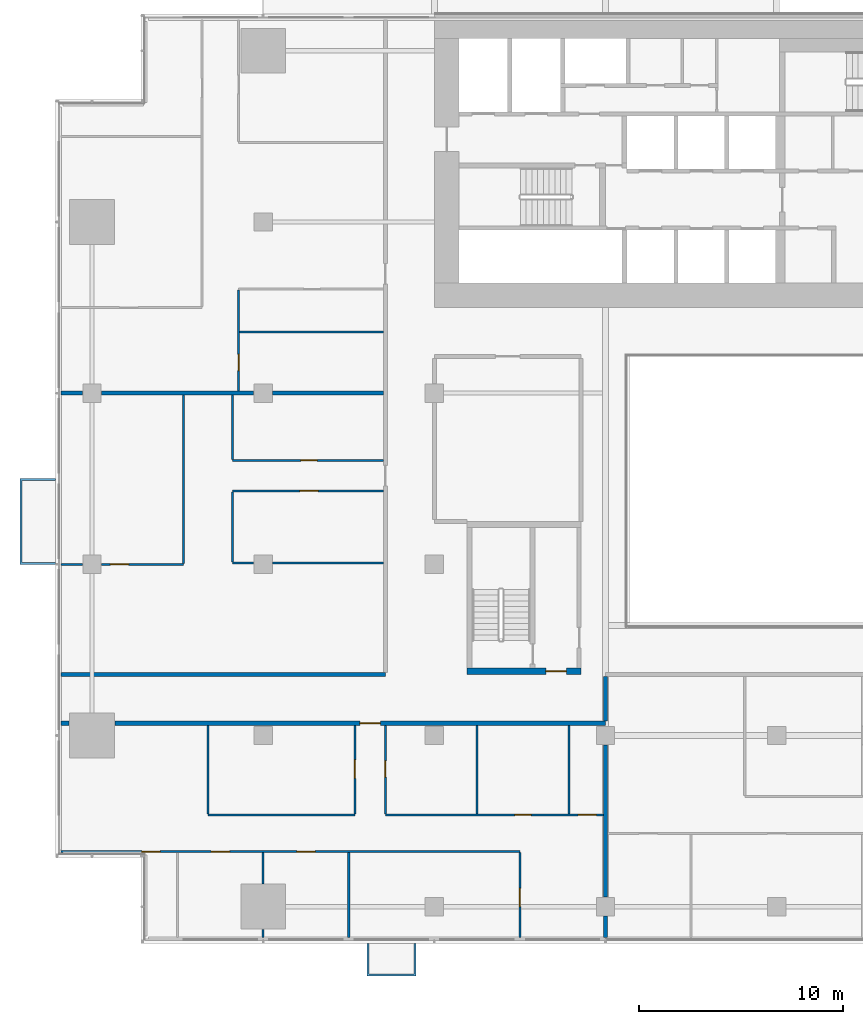
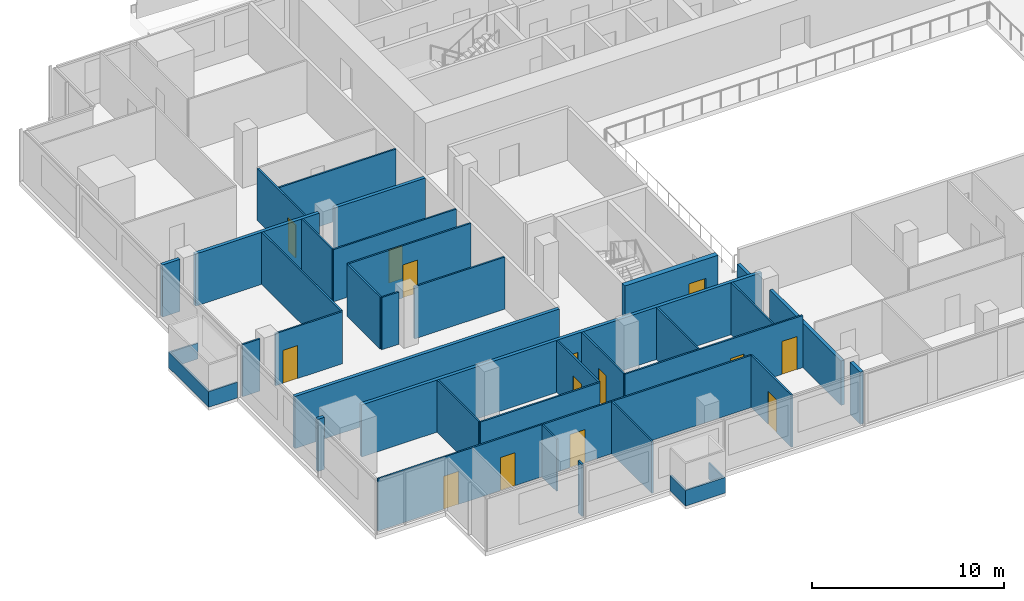
# One storey, part 17 of 27: 35 walls, 14 doors, 14 openings.
"""IFC4 building model written with IfcOpenShell, lengths in metres."""

from ifc_helpers import new_model, si_unit, direction, frame, frame_2d, origin, place, context, subcontext, project, spatial, polyline, rectangle, outline, extrude, material, layer, layer_set, type_object, element, fill, save


model = new_model("IFC4")

# Units and contexts
model_context = context("Model", 3, precision=1e-05, world=origin(), true_north=direction((0.0, 1.0)))
body_context = subcontext(model_context, "Body", "Model", "MODEL_VIEW")
ifc_project = project(units=[si_unit("LENGTHUNIT", "METRE"), si_unit("AREAUNIT", "SQUARE_METRE"), si_unit("VOLUMEUNIT", "CUBIC_METRE"), si_unit("PLANEANGLEUNIT", "RADIAN"), si_unit("MASSUNIT", "GRAM", prefix="KILO")], contexts=[model_context])

# Site, building, storey
site_placement = place(None, origin())
site = spatial("IfcSite", under=ifc_project, at=site_placement, CompositionType="ELEMENT")
building_placement = place(site_placement, origin())
building = spatial("IfcBuilding", under=site, at=building_placement, Name="Saffron Gate Tower", CompositionType="ELEMENT")
storey_placement = place(building_placement, frame((0.0, 0.0, 66.0)))
storey = spatial("IfcBuildingStorey", under=building, at=storey_placement, Name="L15", CompositionType="ELEMENT", Elevation=66.0)

# Wall, opening, door
ifc_material_1 = material(Name="Concrete C70", Category="concrete")
ifc_layer_1 = layer(ifc_material_1, 0.300048828125)
ifc_layer_set_1 = layer_set([ifc_layer_1], Name="CW5 RC core wall 300 C70")
wall_type_1 = type_object("IfcWallType", Name="CW5 RC core wall 300 C70", PredefinedType="SOLIDWALL", material=ifc_layer_set_1)
wall_1_placement = place(storey_placement, frame((68.199951171875, 43.35009765625, 0.0), z_axis=(0.0, 0.0, 1.0), x_axis=(1.0, 0.0, 0.0)))
wall_1 = element("IfcWall", 1, at=wall_1_placement, inside=storey, type_object=wall_type_1, Name="Wall CW5-L15-D-1", PredefinedType="SOLIDWALL", context=body_context, shape_type="SweptSolid", body=[
    extrude(rectangle(XDim=5.60009765625, YDim=0.300048828125, at=frame_2d((2.800048828125, 0.0))), origin(), (0.0, 0.0, 1.0), 3.320068359375),
])
opening_1_placement = place(wall_1_placement, frame((3.875, 0.0, 0.0)))
opening_1 = element("IfcOpeningElement", 2, at=opening_1_placement, cuts=wall_1, Name="Opening CR-18", PredefinedType="OPENING", context=body_context, shape_type="SweptSolid", body=[
    extrude(rectangle(XDim=1.0, YDim=2.10009765625, at=frame_2d((0.5, 1.050048828125))), frame((0.0, 0.16015625, 0.0), z_axis=(0.0, -1.0, 0.0), x_axis=(1.0, 0.0, 0.0)), (0.0, 0.0, 1.0), 0.320068359375),
])
ifc_material_2 = material(Name="Steel fire door set", Category="steel")
door_type_1 = type_object("IfcDoorType", Name="CD4 Lobby door 1000x2100 EI 120", OperationType="NOTDEFINED", PredefinedType="DOOR", material=ifc_material_2)
door_1_placement = place(opening_1_placement, origin())
door_1 = element("IfcDoor", 3, at=door_1_placement, inside=storey, type_object=door_type_1, Name="DOOR CR-18", OperationType="SINGLE_SWING_RIGHT", OverallHeight=2.10009765625, OverallWidth=1.0, PredefinedType="DOOR", context=body_context, shape_type="SweptSolid", body=[
    extrude(rectangle(XDim=1.0, YDim=2.10009765625, at=frame_2d((0.5, 1.050048828125))), frame((0.0, 0.02490234375, 0.0), z_axis=(0.0, -1.0, 0.0), x_axis=(1.0, 0.0, 0.0)), (0.0, 0.0, 1.0), 0.050048828125),
])
fill(opening_1, door_1)

# Wall, openings, doors
ifc_material_3 = material(Name="Plasterboard on steel studs", Category="steel")
ifc_layer_2 = layer(ifc_material_3, 0.10009765625)
ifc_layer_set_2 = layer_set([ifc_layer_2], Name="PW1 Partition 100")
wall_type_2 = type_object("IfcWallType", Name="PW1 Partition 100", PredefinedType="PARTITIONING", material=ifc_layer_set_2)
wall_2_placement = place(storey_placement, frame((70.800048828125, 34.5, 0.0), z_axis=(0.0, 0.0, 1.0), x_axis=(-1.0, 0.0, 0.0)))
wall_2 = element("IfcWall", 4, at=wall_2_placement, inside=storey, type_object=wall_type_2, Name="Partition A3-1", PredefinedType="PARTITIONING", context=body_context, shape_type="SweptSolid", body=[
    extrude(rectangle(XDim=22.52001953125, YDim=0.10009765625, at=frame_2d((11.260009765625, 0.0))), origin(), (0.0, 0.0, 1.0), 3.320068359375),
])
opening_2_placement = place(wall_2_placement, frame((10.050048828125, 0.0, 0.0)))
opening_2 = element("IfcOpeningElement", 5, at=opening_2_placement, cuts=wall_2, Name="Opening A3-10", PredefinedType="OPENING", context=body_context, shape_type="SweptSolid", body=[
    extrude(rectangle(XDim=0.89990234375, YDim=2.10009765625, at=frame_2d((0.449951171875, 1.050048828125))), frame((0.0, 0.06005859375, 0.0), z_axis=(0.0, -1.0, 0.0), x_axis=(1.0, 0.0, 0.0)), (0.0, 0.0, 1.0), 0.1201171875),
])
opening_3_placement = place(wall_2_placement, frame((14.25, 0.0, 0.0)))
opening_3 = element("IfcOpeningElement", 6, at=opening_3_placement, cuts=wall_2, Name="Opening A3-9", PredefinedType="OPENING", context=body_context, shape_type="SweptSolid", body=[
    extrude(rectangle(XDim=0.89990234375, YDim=2.10009765625, at=frame_2d((0.449951171875, 1.050048828125))), frame((0.0, 0.06005859375, 0.0), z_axis=(0.0, -1.0, 0.0), x_axis=(1.0, 0.0, 0.0)), (0.0, 0.0, 1.0), 0.1201171875),
])
opening_4_placement = place(wall_2_placement, frame((17.65380859375, 0.0, 0.0)))
opening_4 = element("IfcOpeningElement", 7, at=opening_4_placement, cuts=wall_2, Name="Opening A3-8", PredefinedType="OPENING", context=body_context, shape_type="SweptSolid", body=[
    extrude(rectangle(XDim=0.89990234375, YDim=2.10009765625, at=frame_2d((0.449951171875, 1.050048828125))), frame((0.0, 0.06005859375, 0.0), z_axis=(0.0, -1.0, 0.0), x_axis=(1.0, 0.0, 0.0)), (0.0, 0.0, 1.0), 0.1201171875),
])
ifc_material_4 = material(Name="Timber door set", Category="wood")
door_type_2 = type_object("IfcDoorType", Name="RD1 Room door 900x2100", OperationType="NOTDEFINED", PredefinedType="DOOR", material=ifc_material_4)
door_2_placement = place(opening_2_placement, origin())
door_2 = element("IfcDoor", 8, at=door_2_placement, inside=storey, type_object=door_type_2, Name="Door A3-10", OperationType="SINGLE_SWING_RIGHT", OverallHeight=2.10009765625, OverallWidth=0.89990234375, PredefinedType="DOOR", context=body_context, shape_type="SweptSolid", body=[
    extrude(rectangle(XDim=0.89990234375, YDim=2.10009765625, at=frame_2d((0.449951171875, 1.050048828125))), frame((0.0, 0.02490234375, 0.0), z_axis=(0.0, -1.0, 0.0), x_axis=(1.0, 0.0, 0.0)), (0.0, 0.0, 1.0), 0.050048828125),
])
fill(opening_2, door_2)
door_3_placement = place(opening_3_placement, origin())
door_3 = element("IfcDoor", 9, at=door_3_placement, inside=storey, type_object=door_type_2, Name="Door A3-9", OperationType="SINGLE_SWING_RIGHT", OverallHeight=2.10009765625, OverallWidth=0.89990234375, PredefinedType="DOOR", context=body_context, shape_type="SweptSolid", body=[
    extrude(rectangle(XDim=0.89990234375, YDim=2.10009765625, at=frame_2d((0.449951171875, 1.050048828125))), frame((0.0, 0.02490234375, 0.0), z_axis=(0.0, -1.0, 0.0), x_axis=(1.0, 0.0, 0.0)), (0.0, 0.0, 1.0), 0.050048828125),
])
fill(opening_3, door_3)
door_4_placement = place(opening_4_placement, origin())
door_4 = element("IfcDoor", 10, at=door_4_placement, inside=storey, type_object=door_type_2, Name="Door A3-8", OperationType="SINGLE_SWING_LEFT", OverallHeight=2.10009765625, OverallWidth=0.89990234375, PredefinedType="DOOR", context=body_context, shape_type="SweptSolid", body=[
    extrude(rectangle(XDim=0.89990234375, YDim=2.10009765625, at=frame_2d((0.449951171875, 1.050048828125))), frame((0.0, 0.02490234375, 0.0), z_axis=(0.0, -1.0, 0.0), x_axis=(1.0, 0.0, 0.0)), (0.0, 0.0, 1.0), 0.050048828125),
])
fill(opening_4, door_4)

# Wall
wall_3_placement = place(storey_placement, frame((55.5, 36.300048828125, 0.0), z_axis=(0.0, 0.0, 1.0), x_axis=(1.0, 0.0, 0.0)))
element("IfcWall", 11, at=wall_3_placement, inside=storey, type_object=wall_type_2, Name="Partition A3-5", PredefinedType="PARTITIONING", context=body_context, shape_type="SweptSolid", body=[
    extrude(rectangle(XDim=7.199951171875, YDim=0.10009765625, at=frame_2d((3.60009765625, 0.0))), origin(), (0.0, 0.0, 1.0), 3.320068359375),
])

# Wall, openings, doors
wall_4_placement = place(storey_placement, frame((64.199951171875, 36.300048828125, 0.0), z_axis=(0.0, 0.0, 1.0), x_axis=(1.0, 0.0, 0.0)))
wall_4 = element("IfcWall", 12, at=wall_4_placement, inside=storey, type_object=wall_type_2, Name="Partition A3-6", PredefinedType="PARTITIONING", context=body_context, shape_type="SweptSolid", body=[
    extrude(rectangle(XDim=10.699951171875, YDim=0.10009765625, at=frame_2d((5.35009765625, 0.0))), origin(), (0.0, 0.0, 1.0), 3.320068359375),
])
opening_5_placement = place(wall_4_placement, frame((6.35009765625, 0.0, 0.0)))
opening_5 = element("IfcOpeningElement", 13, at=opening_5_placement, cuts=wall_4, Name="Opening A3-38", PredefinedType="OPENING", context=body_context, shape_type="SweptSolid", body=[
    extrude(rectangle(XDim=0.800048828125, YDim=2.10009765625, at=frame_2d((0.39990234375, 1.050048828125))), frame((0.0, 0.06005859375, 0.0), z_axis=(0.0, -1.0, 0.0), x_axis=(1.0, 0.0, 0.0)), (0.0, 0.0, 1.0), 0.1201171875),
])
opening_6_placement = place(wall_4_placement, frame((9.449951171875, 0.0, 0.0)))
opening_6 = element("IfcOpeningElement", 14, at=opening_6_placement, cuts=wall_4, Name="Opening A3-13", PredefinedType="OPENING", context=body_context, shape_type="SweptSolid", body=[
    extrude(rectangle(XDim=0.89990234375, YDim=2.10009765625, at=frame_2d((0.449951171875, 1.050048828125))), frame((0.0, 0.06005859375, 0.0), z_axis=(0.0, -1.0, 0.0), x_axis=(1.0, 0.0, 0.0)), (0.0, 0.0, 1.0), 0.1201171875),
])
door_5_placement = place(opening_6_placement, origin())
door_5 = element("IfcDoor", 15, at=door_5_placement, inside=storey, type_object=door_type_2, Name="Door A3-13", OperationType="SINGLE_SWING_RIGHT", OverallHeight=2.10009765625, OverallWidth=0.89990234375, PredefinedType="DOOR", context=body_context, shape_type="SweptSolid", body=[
    extrude(rectangle(XDim=0.89990234375, YDim=2.10009765625, at=frame_2d((0.449951171875, 1.050048828125))), frame((0.0, 0.02490234375, 0.0), z_axis=(0.0, -1.0, 0.0), x_axis=(1.0, 0.0, 0.0)), (0.0, 0.0, 1.0), 0.050048828125),
])
fill(opening_6, door_5)
door_type_3 = type_object("IfcDoorType", Name="RD2 Bathroom door 800x2100", OperationType="NOTDEFINED", PredefinedType="DOOR", material=ifc_material_4)
door_6_placement = place(opening_5_placement, origin())
door_6 = element("IfcDoor", 16, at=door_6_placement, inside=storey, type_object=door_type_3, Name="Door A3-38", OperationType="SINGLE_SWING_LEFT", OverallHeight=2.10009765625, OverallWidth=0.800048828125, PredefinedType="DOOR", context=body_context, shape_type="SweptSolid", body=[
    extrude(rectangle(XDim=0.800048828125, YDim=2.10009765625, at=frame_2d((0.39990234375, 1.050048828125))), frame((0.0, 0.02490234375, 0.0), z_axis=(0.0, -1.0, 0.0), x_axis=(1.0, 0.0, 0.0)), (0.0, 0.0, 1.0), 0.050048828125),
])
fill(opening_5, door_6)

# Wall
wall_5_placement = place(storey_placement, frame((48.280029296875, 48.60009765625, 0.0), z_axis=(0.0, 0.0, 1.0), x_axis=(1.0, 0.0, 0.0)))
element("IfcWall", 17, at=wall_5_placement, inside=storey, type_object=wall_type_2, Name="Partition A3-19", PredefinedType="PARTITIONING", context=body_context, shape_type="SweptSolid", body=[
    extrude(rectangle(XDim=1.050048828125, YDim=0.10009765625, at=frame_2d((0.52490234375, 0.0))), origin(), (0.0, 0.0, 1.0), 3.320068359375),
])

# Wall, opening, door
wall_6_placement = place(storey_placement, frame((50.27001953125, 48.60009765625, 0.0), z_axis=(0.0, 0.0, 1.0), x_axis=(1.0, 0.0, 0.0)))
wall_6 = element("IfcWall", 18, at=wall_6_placement, inside=storey, type_object=wall_type_2, Name="Partition A3-20", PredefinedType="PARTITIONING", context=body_context, shape_type="SweptSolid", body=[
    extrude(rectangle(XDim=4.030029296875, YDim=0.10009765625, at=frame_2d((2.01513671875, 0.0))), origin(), (0.0, 0.0, 1.0), 3.320068359375),
])
opening_7_placement = place(wall_6_placement, frame((0.429931640625, 0.0, 0.0)))
opening_7 = element("IfcOpeningElement", 19, at=opening_7_placement, cuts=wall_6, Name="Opening A3-25", PredefinedType="OPENING", context=body_context, shape_type="SweptSolid", body=[
    extrude(rectangle(XDim=0.89990234375, YDim=2.10009765625, at=frame_2d((0.449951171875, 1.050048828125))), frame((0.0, 0.06005859375, 0.0), z_axis=(0.0, -1.0, 0.0), x_axis=(1.0, 0.0, 0.0)), (0.0, 0.0, 1.0), 0.1201171875),
])
door_7_placement = place(opening_7_placement, origin())
door_7 = element("IfcDoor", 20, at=door_7_placement, inside=storey, type_object=door_type_2, Name="Door A3-25", OperationType="SINGLE_SWING_LEFT", OverallHeight=2.10009765625, OverallWidth=0.89990234375, PredefinedType="DOOR", context=body_context, shape_type="SweptSolid", body=[
    extrude(rectangle(XDim=0.89990234375, YDim=2.10009765625, at=frame_2d((0.449951171875, 1.050048828125))), frame((0.0, 0.02490234375, 0.0), z_axis=(0.0, -1.0, 0.0), x_axis=(1.0, 0.0, 0.0)), (0.0, 0.0, 1.0), 0.050048828125),
])
fill(opening_7, door_7)

# Walls
wall_7_placement = place(storey_placement, frame((56.699951171875, 48.666748046875, 0.0), z_axis=(0.0, 0.0, 1.0), x_axis=(1.0, 0.0, 0.0)))
element("IfcWall", 21, at=wall_7_placement, inside=storey, type_object=wall_type_2, Name="Partition A3-23", PredefinedType="PARTITIONING", context=body_context, shape_type="SweptSolid", body=[
    extrude(rectangle(XDim=1.030029296875, YDim=0.10009765625, at=frame_2d((0.51513671875, 0.0))), origin(), (0.0, 0.0, 1.0), 3.320068359375),
])
wall_8_placement = place(storey_placement, frame((58.669921875, 48.666748046875, 0.0), z_axis=(0.0, 0.0, 1.0), x_axis=(1.0, 0.0, 0.0)))
element("IfcWall", 22, at=wall_8_placement, inside=storey, type_object=wall_type_2, Name="Partition A3-24", PredefinedType="PARTITIONING", context=body_context, shape_type="SweptSolid", body=[
    extrude(rectangle(XDim=5.43017578125, YDim=0.10009765625, at=frame_2d((2.715087890625, 0.0))), origin(), (0.0, 0.0, 1.0), 3.320068359375),
])

# Wall, opening, door
wall_9_placement = place(storey_placement, frame((64.10009765625, 52.199951171875, 0.0), z_axis=(0.0, 0.0, 1.0), x_axis=(-1.0, 0.0, 0.0)))
wall_9 = element("IfcWall", 23, at=wall_9_placement, inside=storey, type_object=wall_type_2, Name="Partition A3-29", PredefinedType="PARTITIONING", context=body_context, shape_type="SweptSolid", body=[
    extrude(rectangle(XDim=7.400146484375, YDim=0.10009765625, at=frame_2d((3.7001953125, 0.0))), origin(), (0.0, 0.0, 1.0), 3.320068359375),
])
opening_8_placement = place(wall_9_placement, frame((3.199951171875, 0.0, 0.0)))
opening_8 = element("IfcOpeningElement", 24, at=opening_8_placement, cuts=wall_9, Name="Opening A3-26", PredefinedType="OPENING", context=body_context, shape_type="SweptSolid", body=[
    extrude(rectangle(XDim=0.89990234375, YDim=2.10009765625, at=frame_2d((0.449951171875, 1.050048828125))), frame((0.0, 0.06005859375, 0.0), z_axis=(0.0, -1.0, 0.0), x_axis=(1.0, 0.0, 0.0)), (0.0, 0.0, 1.0), 0.1201171875),
])
door_8_placement = place(opening_8_placement, origin())
door_8 = element("IfcDoor", 25, at=door_8_placement, inside=storey, type_object=door_type_2, Name="Door A3-26", OperationType="SINGLE_SWING_LEFT", OverallHeight=2.10009765625, OverallWidth=0.89990234375, PredefinedType="DOOR", context=body_context, shape_type="SweptSolid", body=[
    extrude(rectangle(XDim=0.89990234375, YDim=2.10009765625, at=frame_2d((0.449951171875, 1.050048828125))), frame((0.0, 0.02490234375, 0.0), z_axis=(0.0, -1.0, 0.0), x_axis=(1.0, 0.0, 0.0)), (0.0, 0.0, 1.0), 0.050048828125),
])
fill(opening_8, door_8)

wall_10_placement = place(storey_placement, frame((56.699951171875, 53.699951171875, 0.0), z_axis=(0.0, 0.0, 1.0), x_axis=(1.0, 0.0, 0.0)))
wall_10 = element("IfcWall", 26, at=wall_10_placement, inside=storey, type_object=wall_type_2, Name="Partition A3-31", PredefinedType="PARTITIONING", context=body_context, shape_type="SweptSolid", body=[
    extrude(rectangle(XDim=7.400146484375, YDim=0.10009765625, at=frame_2d((3.7001953125, 0.0))), origin(), (0.0, 0.0, 1.0), 3.320068359375),
])
opening_9_placement = place(wall_10_placement, frame((3.35009765625, 0.0, 0.0)))
opening_9 = element("IfcOpeningElement", 27, at=opening_9_placement, cuts=wall_10, Name="Opening A3-43", PredefinedType="OPENING", context=body_context, shape_type="SweptSolid", body=[
    extrude(rectangle(XDim=0.800048828125, YDim=2.10009765625, at=frame_2d((0.39990234375, 1.050048828125))), frame((0.0, 0.06005859375, 0.0), z_axis=(0.0, -1.0, 0.0), x_axis=(1.0, 0.0, 0.0)), (0.0, 0.0, 1.0), 0.1201171875),
])
door_9_placement = place(opening_9_placement, origin())
door_9 = element("IfcDoor", 28, at=door_9_placement, inside=storey, type_object=door_type_3, Name="Door A3-43", OperationType="SINGLE_SWING_RIGHT", OverallHeight=2.10009765625, OverallWidth=0.800048828125, PredefinedType="DOOR", context=body_context, shape_type="SweptSolid", body=[
    extrude(rectangle(XDim=0.800048828125, YDim=2.10009765625, at=frame_2d((0.39990234375, 1.050048828125))), frame((0.0, 0.02490234375, 0.0), z_axis=(0.0, -1.0, 0.0), x_axis=(1.0, 0.0, 0.0)), (0.0, 0.0, 1.0), 0.050048828125),
])
fill(opening_9, door_9)

# Walls
wall_11_placement = place(storey_placement, frame((57.050048828125, 60.0, 0.0), z_axis=(0.0, 0.0, 1.0), x_axis=(1.0, 0.0, 0.0)))
element("IfcWall", 29, at=wall_11_placement, inside=storey, type_object=wall_type_2, Name="Partition A3-41", PredefinedType="PARTITIONING", context=body_context, shape_type="SweptSolid", body=[
    extrude(rectangle(XDim=7.050048828125, YDim=0.10009765625, at=frame_2d((3.52490234375, 0.0))), origin(), (0.0, 0.0, 1.0), 3.320068359375),
])
wall_12_placement = place(storey_placement, frame((54.300048828125, 56.89990234375, 0.0), z_axis=(0.0, 0.0, 1.0), x_axis=(0.0, -1.0, 0.0)))
element("IfcWall", 30, at=wall_12_placement, inside=storey, type_object=wall_type_2, Name="Partition A3-52", PredefinedType="PARTITIONING", context=body_context, shape_type="SweptSolid", body=[
    extrude(rectangle(XDim=8.25, YDim=0.10009765625, at=frame_2d((4.125, 0.0))), origin(), (0.0, 0.0, 1.0), 3.320068359375),
])
wall_13_placement = place(storey_placement, frame((55.5, 40.699951171875, 0.0), z_axis=(0.0, 0.0, 1.0), x_axis=(0.0, -1.0, 0.0)))
element("IfcWall", 31, at=wall_13_placement, inside=storey, type_object=wall_type_2, Name="Partition A3-54", PredefinedType="PARTITIONING", context=body_context, shape_type="SweptSolid", body=[
    extrude(rectangle(XDim=4.349853515625, YDim=0.10009765625, at=frame_2d((2.1748046875, 0.0))), origin(), (0.0, 0.0, 1.0), 3.320068359375),
])
wall_14_placement = place(storey_placement, frame((56.699951171875, 52.14990234375, 0.0), z_axis=(0.0, 0.0, 1.0), x_axis=(0.0, -1.0, 0.0)))
element("IfcWall", 32, at=wall_14_placement, inside=storey, type_object=wall_type_2, Name="Partition A3-55", PredefinedType="PARTITIONING", context=body_context, shape_type="SweptSolid", body=[
    extrude(rectangle(XDim=3.43310546875, YDim=0.10009765625, at=frame_2d((1.716552734375, 0.0))), origin(), (0.0, 0.0, 1.0), 3.320068359375),
])
wall_15_placement = place(storey_placement, frame((56.699951171875, 56.89990234375, 0.0), z_axis=(0.0, 0.0, 1.0), x_axis=(0.0, -1.0, 0.0)))
element("IfcWall", 33, at=wall_15_placement, inside=storey, type_object=wall_type_2, Name="Partition A3-56", PredefinedType="PARTITIONING", context=body_context, shape_type="SweptSolid", body=[
    extrude(rectangle(XDim=3.14990234375, YDim=0.10009765625, at=frame_2d((1.574951171875, 0.0))), origin(), (0.0, 0.0, 1.0), 3.320068359375),
])

# Wall, opening, door
wall_16_placement = place(storey_placement, frame((57.0, 62.050048828125, 0.0), z_axis=(0.0, 0.0, 1.0), x_axis=(0.0, -1.0, 0.0)))
wall_16 = element("IfcWall", 34, at=wall_16_placement, inside=storey, type_object=wall_type_2, Name="Partition A3-57", PredefinedType="PARTITIONING", context=body_context, shape_type="SweptSolid", body=[
    extrude(rectangle(XDim=4.949951171875, YDim=0.10009765625, at=frame_2d((2.47509765625, 0.0))), origin(), (0.0, 0.0, 1.0), 3.320068359375),
])
opening_10_placement = place(wall_16_placement, frame((3.14990234375, 0.0, 0.0)))
opening_10 = element("IfcOpeningElement", 35, at=opening_10_placement, cuts=wall_16, Name="Opening A3-44", PredefinedType="OPENING", context=body_context, shape_type="SweptSolid", body=[
    extrude(rectangle(XDim=0.800048828125, YDim=2.10009765625, at=frame_2d((0.39990234375, 1.050048828125))), frame((0.0, 0.06005859375, 0.0), z_axis=(0.0, -1.0, 0.0), x_axis=(1.0, 0.0, 0.0)), (0.0, 0.0, 1.0), 0.1201171875),
])
door_10_placement = place(opening_10_placement, origin())
door_10 = element("IfcDoor", 36, at=door_10_placement, inside=storey, type_object=door_type_3, Name="Door A3-44", OperationType="SINGLE_SWING_RIGHT", OverallHeight=2.10009765625, OverallWidth=0.800048828125, PredefinedType="DOOR", context=body_context, shape_type="SweptSolid", body=[
    extrude(rectangle(XDim=0.800048828125, YDim=2.10009765625, at=frame_2d((0.39990234375, 1.050048828125))), frame((0.0, 0.02490234375, 0.0), z_axis=(0.0, -1.0, 0.0), x_axis=(1.0, 0.0, 0.0)), (0.0, 0.0, 1.0), 0.050048828125),
])
fill(opening_10, door_10)

# Walls
wall_17_placement = place(storey_placement, frame((58.199951171875, 30.679931640625, 0.0), z_axis=(0.0, 0.0, 1.0), x_axis=(0.0, -1.0, 0.0)))
element("IfcWall", 37, at=wall_17_placement, inside=storey, type_object=wall_type_2, Name="Partition A3-59", PredefinedType="PARTITIONING", context=body_context, shape_type="SweptSolid", body=[
    extrude(rectangle(XDim=0.39990234375, YDim=0.10009765625, at=frame_2d((0.199951171875, 0.0))), origin(), (0.0, 0.0, 1.0), 3.320068359375),
])
wall_18_placement = place(storey_placement, frame((58.199951171875, 34.449951171875, 0.0), z_axis=(0.0, 0.0, 1.0), x_axis=(0.0, -1.0, 0.0)))
element("IfcWall", 38, at=wall_18_placement, inside=storey, type_object=wall_type_2, Name="Partition A3-60", PredefinedType="PARTITIONING", context=body_context, shape_type="SweptSolid", body=[
    extrude(rectangle(XDim=1.530029296875, YDim=0.10009765625, at=frame_2d((0.76513671875, 0.0))), origin(), (0.0, 0.0, 1.0), 3.320068359375),
])
wall_19_placement = place(storey_placement, frame((62.39990234375, 34.449951171875, 0.0), z_axis=(0.0, 0.0, 1.0), x_axis=(0.0, -1.0, 0.0)))
element("IfcWall", 39, at=wall_19_placement, inside=storey, type_object=wall_type_2, Name="Partition A3-61", PredefinedType="PARTITIONING", context=body_context, shape_type="SweptSolid", body=[
    extrude(rectangle(XDim=4.169921875, YDim=0.10009765625, at=frame_2d((2.0849609375, 0.0))), origin(), (0.0, 0.0, 1.0), 3.320068359375),
])

# Wall, opening, door
wall_20_placement = place(storey_placement, frame((62.699951171875, 36.35009765625, 0.0), z_axis=(0.0, 0.0, 1.0), x_axis=(0.0, 1.0, 0.0)))
wall_20 = element("IfcWall", 40, at=wall_20_placement, inside=storey, type_object=wall_type_2, Name="Partition A3-62", PredefinedType="PARTITIONING", context=body_context, shape_type="SweptSolid", body=[
    extrude(rectangle(XDim=4.349853515625, YDim=0.10009765625, at=frame_2d((2.1748046875, 0.0))), origin(), (0.0, 0.0, 1.0), 3.320068359375),
])
opening_11_placement = place(wall_20_placement, frame((1.75, 0.0, 0.0)))
opening_11 = element("IfcOpeningElement", 41, at=opening_11_placement, cuts=wall_20, Name="Opening A3-12", PredefinedType="OPENING", context=body_context, shape_type="SweptSolid", body=[
    extrude(rectangle(XDim=0.89990234375, YDim=2.10009765625, at=frame_2d((0.449951171875, 1.050048828125))), frame((0.0, 0.06005859375, 0.0), z_axis=(0.0, -1.0, 0.0), x_axis=(1.0, 0.0, 0.0)), (0.0, 0.0, 1.0), 0.1201171875),
])
door_11_placement = place(opening_11_placement, origin())
door_11 = element("IfcDoor", 42, at=door_11_placement, inside=storey, type_object=door_type_2, Name="Door A3-12", OperationType="SINGLE_SWING_RIGHT", OverallHeight=2.10009765625, OverallWidth=0.89990234375, PredefinedType="DOOR", context=body_context, shape_type="SweptSolid", body=[
    extrude(rectangle(XDim=0.89990234375, YDim=2.10009765625, at=frame_2d((0.449951171875, 1.050048828125))), frame((0.0, 0.02490234375, 0.0), z_axis=(0.0, -1.0, 0.0), x_axis=(1.0, 0.0, 0.0)), (0.0, 0.0, 1.0), 0.050048828125),
])
fill(opening_11, door_11)

wall_21_placement = place(storey_placement, frame((64.199951171875, 40.699951171875, 0.0), z_axis=(0.0, 0.0, 1.0), x_axis=(0.0, -1.0, 0.0)))
wall_21 = element("IfcWall", 43, at=wall_21_placement, inside=storey, type_object=wall_type_2, Name="Partition A3-64", PredefinedType="PARTITIONING", context=body_context, shape_type="SweptSolid", body=[
    extrude(rectangle(XDim=4.349853515625, YDim=0.10009765625, at=frame_2d((2.1748046875, 0.0))), origin(), (0.0, 0.0, 1.0), 3.320068359375),
])
opening_12_placement = place(wall_21_placement, frame((1.75, 0.0, 0.0)))
opening_12 = element("IfcOpeningElement", 44, at=opening_12_placement, cuts=wall_21, Name="Opening A3-37", PredefinedType="OPENING", context=body_context, shape_type="SweptSolid", body=[
    extrude(rectangle(XDim=0.800048828125, YDim=2.10009765625, at=frame_2d((0.39990234375, 1.050048828125))), frame((0.0, 0.06005859375, 0.0), z_axis=(0.0, -1.0, 0.0), x_axis=(1.0, 0.0, 0.0)), (0.0, 0.0, 1.0), 0.1201171875),
])
door_12_placement = place(opening_12_placement, origin())
door_12 = element("IfcDoor", 45, at=door_12_placement, inside=storey, type_object=door_type_3, Name="Door A3-37", OperationType="SINGLE_SWING_LEFT", OverallHeight=2.10009765625, OverallWidth=0.800048828125, PredefinedType="DOOR", context=body_context, shape_type="SweptSolid", body=[
    extrude(rectangle(XDim=0.800048828125, YDim=2.10009765625, at=frame_2d((0.39990234375, 1.050048828125))), frame((0.0, 0.02490234375, 0.0), z_axis=(0.0, -1.0, 0.0), x_axis=(1.0, 0.0, 0.0)), (0.0, 0.0, 1.0), 0.050048828125),
])
fill(opening_12, door_12)

# Wall
wall_22_placement = place(storey_placement, frame((68.699951171875, 40.699951171875, 0.0), z_axis=(0.0, 0.0, 1.0), x_axis=(0.0, -1.0, 0.0)))
element("IfcWall", 46, at=wall_22_placement, inside=storey, type_object=wall_type_2, Name="Partition A3-67", PredefinedType="PARTITIONING", context=body_context, shape_type="SweptSolid", body=[
    extrude(rectangle(XDim=4.349853515625, YDim=0.10009765625, at=frame_2d((2.1748046875, 0.0))), origin(), (0.0, 0.0, 1.0), 3.320068359375),
])

# Wall, opening, door
wall_23_placement = place(storey_placement, frame((70.800048828125, 30.280029296875, 0.0), z_axis=(0.0, 0.0, 1.0), x_axis=(0.0, 1.0, 0.0)))
wall_23 = element("IfcWall", 47, at=wall_23_placement, inside=storey, type_object=wall_type_2, Name="Partition A3-68", PredefinedType="PARTITIONING", context=body_context, shape_type="SweptSolid", body=[
    extrude(rectangle(XDim=4.169921875, YDim=0.10009765625, at=frame_2d((2.0849609375, 0.0))), origin(), (0.0, 0.0, 1.0), 3.320068359375),
])
opening_13_placement = place(wall_23_placement, frame((1.52001953125, 0.0, 0.0)))
opening_13 = element("IfcOpeningElement", 48, at=opening_13_placement, cuts=wall_23, Name="Opening A3-11", PredefinedType="OPENING", context=body_context, shape_type="SweptSolid", body=[
    extrude(rectangle(XDim=0.89990234375, YDim=2.10009765625, at=frame_2d((0.449951171875, 1.050048828125))), frame((0.0, 0.06005859375, 0.0), z_axis=(0.0, -1.0, 0.0), x_axis=(1.0, 0.0, 0.0)), (0.0, 0.0, 1.0), 0.1201171875),
])
door_13_placement = place(opening_13_placement, origin())
door_13 = element("IfcDoor", 49, at=door_13_placement, inside=storey, type_object=door_type_2, Name="Door A3-11", OperationType="SINGLE_SWING_LEFT", OverallHeight=2.10009765625, OverallWidth=0.89990234375, PredefinedType="DOOR", context=body_context, shape_type="SweptSolid", body=[
    extrude(rectangle(XDim=0.89990234375, YDim=2.10009765625, at=frame_2d((0.449951171875, 1.050048828125))), frame((0.0, 0.02490234375, 0.0), z_axis=(0.0, -1.0, 0.0), x_axis=(1.0, 0.0, 0.0)), (0.0, 0.0, 1.0), 0.050048828125),
])
fill(opening_13, door_13)

# Walls
wall_24_placement = place(storey_placement, frame((73.199951171875, 40.699951171875, 0.0), z_axis=(0.0, 0.0, 1.0), x_axis=(0.0, -1.0, 0.0)))
element("IfcWall", 50, at=wall_24_placement, inside=storey, type_object=wall_type_2, Name="Partition A3-69", PredefinedType="PARTITIONING", context=body_context, shape_type="SweptSolid", body=[
    extrude(rectangle(XDim=4.349853515625, YDim=0.10009765625, at=frame_2d((2.1748046875, 0.0))), origin(), (0.0, 0.0, 1.0), 3.320068359375),
])
ifc_material_5 = material(Name="Clay brick masonry, rendered", Category="masonry")
ifc_layer_3 = layer(ifc_material_5, 0.199951171875)
ifc_layer_set_3 = layer_set([ifc_layer_3], Name="PW2 Demising wall 200")
wall_type_3 = type_object("IfcWallType", Name="PW2 Demising wall 200", PredefinedType="PARTITIONING", material=ifc_layer_set_3)
wall_25_placement = place(storey_placement, frame((48.280029296875, 57.0, 0.0), z_axis=(0.0, 0.0, 1.0), x_axis=(1.0, 0.0, 0.0)))
element("IfcWall", 51, at=wall_25_placement, inside=storey, type_object=wall_type_3, Name="Wall A3-33", PredefinedType="PARTITIONING", context=body_context, shape_type="SweptSolid", body=[
    extrude(rectangle(XDim=1.050048828125, YDim=0.199951171875, at=frame_2d((0.52490234375, 0.0))), origin(), (0.0, 0.0, 1.0), 3.320068359375),
])
wall_26_placement = place(storey_placement, frame((50.27001953125, 57.0, 0.0), z_axis=(0.0, 0.0, 1.0), x_axis=(1.0, 0.0, 0.0)))
element("IfcWall", 52, at=wall_26_placement, inside=storey, type_object=wall_type_3, Name="Wall A3-34", PredefinedType="PARTITIONING", context=body_context, shape_type="SweptSolid", body=[
    extrude(rectangle(XDim=7.4599609375, YDim=0.199951171875, at=frame_2d((3.72998046875, 0.0))), origin(), (0.0, 0.0, 1.0), 3.320068359375),
])
wall_27_placement = place(storey_placement, frame((58.669921875, 57.0, 0.0), z_axis=(0.0, 0.0, 1.0), x_axis=(1.0, 0.0, 0.0)))
element("IfcWall", 53, at=wall_27_placement, inside=storey, type_object=wall_type_3, Name="Wall A3-35", PredefinedType="PARTITIONING", context=body_context, shape_type="SweptSolid", body=[
    extrude(rectangle(XDim=5.43017578125, YDim=0.199951171875, at=frame_2d((2.715087890625, 0.0))), origin(), (0.0, 0.0, 1.0), 3.320068359375),
])
wall_28_placement = place(storey_placement, frame((75.0, 31.330078125, 0.0), z_axis=(0.0, 0.0, 1.0), x_axis=(0.0, -1.0, 0.0)))
element("IfcWall", 54, at=wall_28_placement, inside=storey, type_object=wall_type_3, Name="Wall A3-72", PredefinedType="PARTITIONING", context=body_context, shape_type="SweptSolid", body=[
    extrude(rectangle(XDim=1.050048828125, YDim=0.199951171875, at=frame_2d((0.52490234375, 0.0))), origin(), (0.0, 0.0, 1.0), 3.320068359375),
])
wall_29_placement = place(storey_placement, frame((75.0, 39.72998046875, 0.0), z_axis=(0.0, 0.0, 1.0), x_axis=(0.0, -1.0, 0.0)))
element("IfcWall", 55, at=wall_29_placement, inside=storey, type_object=wall_type_3, Name="Wall A3-73", PredefinedType="PARTITIONING", context=body_context, shape_type="SweptSolid", body=[
    extrude(rectangle(XDim=7.4599609375, YDim=0.199951171875, at=frame_2d((3.72998046875, 0.0))), origin(), (0.0, 0.0, 1.0), 2.830078125),
])
ifc_layer_4 = layer(ifc_material_5, 0.199951171875)
ifc_layer_set_4 = layer_set([ifc_layer_4], Name="PW3 Corridor wall 200")
wall_type_4 = type_object("IfcWallType", Name="PW3 Corridor wall 200", PredefinedType="PARTITIONING", material=ifc_layer_set_4)
wall_30_placement = place(storey_placement, frame((48.280029296875, 40.800048828125, 0.0), z_axis=(0.0, 0.0, 1.0), x_axis=(1.0, 0.0, 0.0)))
element("IfcWall", 56, at=wall_30_placement, inside=storey, type_object=wall_type_4, Name="Wall A3-11", PredefinedType="PARTITIONING", context=body_context, shape_type="SweptSolid", body=[
    extrude(rectangle(XDim=0.39990234375, YDim=0.199951171875, at=frame_2d((0.199951171875, 0.0))), origin(), (0.0, 0.0, 1.0), 3.320068359375),
])

# Wall, opening, door
wall_31_placement = place(storey_placement, frame((75.0, 40.800048828125, 0.0), z_axis=(0.0, 0.0, 1.0), x_axis=(-1.0, 0.0, 0.0)))
wall_31 = element("IfcWall", 57, at=wall_31_placement, inside=storey, type_object=wall_type_4, Name="Wall A3-12", PredefinedType="PARTITIONING", context=body_context, shape_type="SweptSolid", body=[
    extrude(rectangle(XDim=24.080078125, YDim=0.199951171875, at=frame_2d((12.0400390625, 0.0))), origin(), (0.0, 0.0, 1.0), 3.320068359375),
])
opening_14_placement = place(wall_31_placement, frame((11.050048828125, 0.0, 0.0)))
opening_14 = element("IfcOpeningElement", 58, at=opening_14_placement, cuts=wall_31, Name="Opening A3-1", PredefinedType="OPENING", context=body_context, shape_type="SweptSolid", body=[
    extrude(rectangle(XDim=1.0, YDim=2.10009765625, at=frame_2d((0.5, 1.050048828125))), frame((0.0, 0.10986328125, 0.0), z_axis=(0.0, -1.0, 0.0), x_axis=(1.0, 0.0, 0.0)), (0.0, 0.0, 1.0), 0.219970703125),
])
ifc_material_6 = material(Name="Timber fire door set", Category="wood")
door_type_4 = type_object("IfcDoorType", Name="FD1 Flat entry door 1000x2100", OperationType="NOTDEFINED", PredefinedType="DOOR", material=ifc_material_6)
door_14_placement = place(opening_14_placement, origin())
door_14 = element("IfcDoor", 59, at=door_14_placement, inside=storey, type_object=door_type_4, Name="Door A3-1", OperationType="SINGLE_SWING_LEFT", OverallHeight=2.10009765625, OverallWidth=1.0, PredefinedType="DOOR", context=body_context, shape_type="SweptSolid", body=[
    extrude(rectangle(XDim=1.0, YDim=2.10009765625, at=frame_2d((0.5, 1.050048828125))), frame((0.0, 0.02490234375, 0.0), z_axis=(0.0, -1.0, 0.0), x_axis=(1.0, 0.0, 0.0)), (0.0, 0.0, 1.0), 0.050048828125),
])
fill(opening_14, door_14)

# Walls
wall_32_placement = place(storey_placement, frame((48.280029296875, 43.199951171875, 0.0), z_axis=(0.0, 0.0, 1.0), x_axis=(1.0, 0.0, 0.0)))
element("IfcWall", 60, at=wall_32_placement, inside=storey, type_object=wall_type_4, Name="Wall A3-15", PredefinedType="PARTITIONING", context=body_context, shape_type="SweptSolid", body=[
    extrude(rectangle(XDim=15.919921875, YDim=0.199951171875, at=frame_2d((7.9599609375, 0.0))), origin(), (0.0, 0.0, 1.0), 3.320068359375),
])
wall_33_placement = place(storey_placement, frame((75.0, 43.10009765625, 0.0), z_axis=(0.0, 0.0, 1.0), x_axis=(0.0, -1.0, 0.0)))
element("IfcWall", 61, at=wall_33_placement, inside=storey, type_object=wall_type_4, Name="Wall A3-71", PredefinedType="PARTITIONING", context=body_context, shape_type="SweptSolid", body=[
    extrude(rectangle(XDim=2.2001953125, YDim=0.199951171875, at=frame_2d((1.10009765625, 0.0))), origin(), (0.0, 0.0, 1.0), 2.429931640625),
])
ifc_material_7 = material(Name="Rendered insulated panel, white")
ifc_layer_5 = layer(ifc_material_7, 0.10009765625)
ifc_layer_set_5 = layer_set([ifc_layer_5], Name="WB3 box parapet white")
wall_type_5 = type_object("IfcWallType", Name="WB3 box parapet white", PredefinedType="SOLIDWALL", material=ifc_layer_set_5)
wall_34_placement = place(storey_placement, origin())
element("IfcWall", 62, at=wall_34_placement, inside=storey, type_object=wall_type_5, Name="WINDOW BOX parapet", PredefinedType="SOLIDWALL", context=body_context, shape_type="SweptSolid", body=[
    extrude(outline(polyline([(63.300048828125, 30.0), (63.39990234375, 30.0), (63.39990234375, 28.5), (65.60009765625, 28.5), (65.60009765625, 30.0), (65.699951171875, 30.0), (65.699951171875, 28.39990234375), (63.300048828125, 28.39990234375), (63.300048828125, 30.0)])), origin(), (0.0, 0.0, 1.0), 1.0),
])
wall_35_placement = place(storey_placement, origin())
element("IfcWall", 63, at=wall_35_placement, inside=storey, type_object=wall_type_5, Name="WINDOW BOX parapet", PredefinedType="SOLIDWALL", context=body_context, shape_type="SweptSolid", body=[
    extrude(outline(polyline([(48.0, 52.800048828125), (48.0, 52.699951171875), (46.366943359375, 52.699951171875), (46.366943359375, 48.699951171875), (48.0, 48.699951171875), (48.0, 48.60009765625), (46.26708984375, 48.60009765625), (46.26708984375, 52.800048828125), (48.0, 52.800048828125)])), origin(), (0.0, 0.0, 1.0), 1.0),
])

save(model, "model.ifc")
